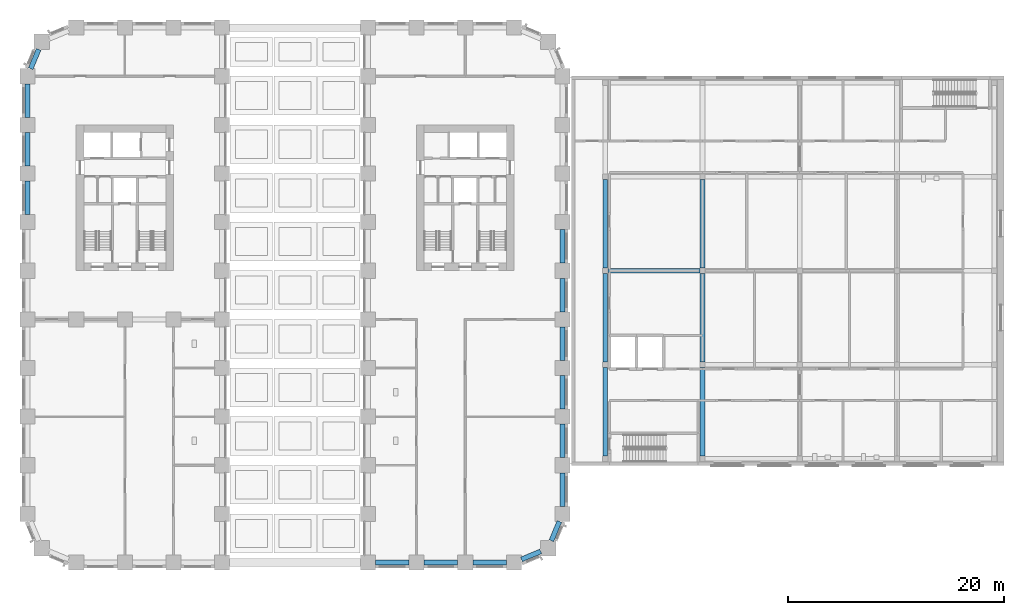
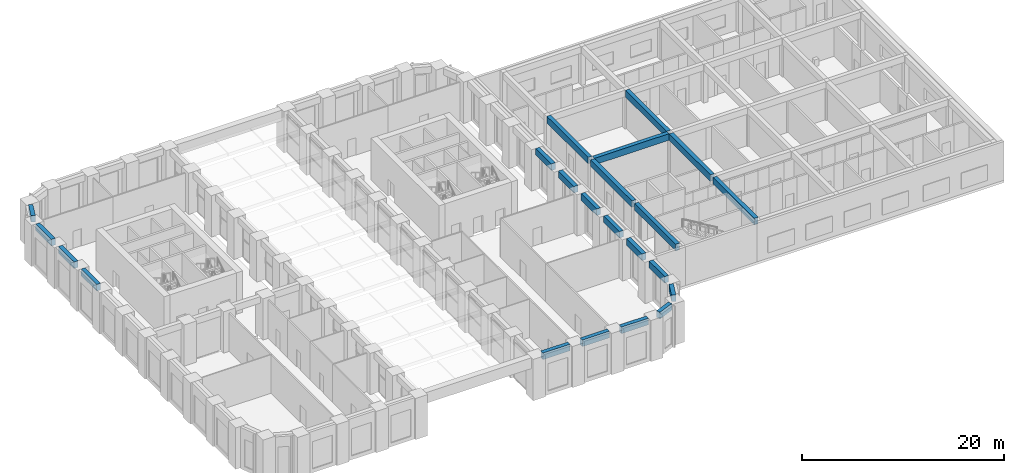
# One storey, part 4 of 24: 22 beams.
"""IFC4 building model written with IfcOpenShell, lengths in metres."""

from ifc_helpers import new_model, si_unit, direction, frame, origin, origin_2d, place, context, subcontext, project, spatial, rectangle, extrude, material, material_profile, profile_set, type_object, element, save


model = new_model("IFC4")

# Units and contexts
model_context = context("Model", 3, precision=1e-05, world=origin(), true_north=direction((0.0, 1.0)))
body_context = subcontext(model_context, "Body", "Model", "MODEL_VIEW")
ifc_project = project(units=[si_unit("LENGTHUNIT", "METRE"), si_unit("AREAUNIT", "SQUARE_METRE"), si_unit("VOLUMEUNIT", "CUBIC_METRE"), si_unit("PLANEANGLEUNIT", "RADIAN"), si_unit("MASSUNIT", "GRAM", prefix="KILO")], contexts=[model_context])

# Site, building, storey
site_placement = place(None, origin())
site = spatial("IfcSite", under=ifc_project, at=site_placement, CompositionType="ELEMENT")
building_placement = place(site_placement, origin())
building = spatial("IfcBuilding", under=site, at=building_placement, Name="Girih Gate Residences", CompositionType="ELEMENT")
storey_placement = place(building_placement, frame((0.0, 0.0, 16.0)))
storey = spatial("IfcBuildingStorey", under=building, at=storey_placement, Name="L03", CompositionType="ELEMENT", Elevation=16.0)

# Beams
ifc_material_1 = material(Name="Concrete C40/50", Category="concrete")
ifc_material_profile_1 = material_profile(ifc_material_1, rectangle(XDim=0.449951171875, YDim=0.800048828125, at=origin_2d()))
ifc_profile_set_1 = profile_set([ifc_material_profile_1], Name="Concrete C40/50")
beam_type_1 = type_object("IfcBeamType", Name="HC Beam 450x800 C40/50", PredefinedType="BEAM", material=ifc_profile_set_1)
beam_1_placement = place(storey_placement, frame((53.699951171875, 27.0, 4.300048828125), z_axis=(1.0, 0.0, 0.0), x_axis=(0.0, 1.0, 0.0)))
element("IfcBeam", 1, at=beam_1_placement, inside=storey, type_object=beam_type_1, Name="L03 beam HC.1", PredefinedType="BEAM", context=body_context, shape_type="SweptSolid", body=[
    extrude(rectangle(XDim=0.449951171875, YDim=0.800048828125, at=origin_2d()), origin(), (0.0, 0.0, 1.0), 8.5),
])
for number, where, z_axis, x_axis, name in (
    (2, (53.449951171875, 9.85009765625, 4.300048828125), (0.0, 1.0, 0.0), (-1.0, 0.0, 0.0), "L03 beam H1.1"),
    (3, (53.449951171875, 18.550048828125, 4.300048828125), (0.0, 1.0, 0.0), (-1.0, 0.0, 0.0), "L03 beam H1.2"),
    (4, (53.449951171875, 27.25, 4.300048828125), (0.0, 1.0, 0.0), (-1.0, 0.0, 0.0), "L03 beam H1.3"),
    (5, (62.449951171875, 9.85009765625, 4.300048828125), (0.0, 1.0, 0.0), (-1.0, 0.0, 0.0), "L03 beam H2.1"),
    (6, (62.449951171875, 18.550048828125, 4.300048828125), (0.0, 1.0, 0.0), (-1.0, 0.0, 0.0), "L03 beam H2.2"),
    (7, (62.449951171875, 27.25, 4.300048828125), (0.0, 1.0, 0.0), (-1.0, 0.0, 0.0), "L03 beam H2.3"),
):
    element("IfcBeam", number, at=place(storey_placement, frame(where, z_axis=z_axis, x_axis=x_axis)), inside=storey, type_object=beam_type_1, Name=name, PredefinedType="BEAM", context=body_context, shape_type="SweptSolid", body=[
        extrude(rectangle(XDim=0.449951171875, YDim=0.800048828125, at=origin_2d()), origin(), (0.0, 0.0, 1.0), 8.199951171875),
    ])
ifc_material_2 = material(Name="Concrete C60/75", Category="concrete")
ifc_material_profile_2 = material_profile(ifc_material_2, rectangle(XDim=0.449951171875, YDim=0.800048828125, at=origin_2d()))
ifc_profile_set_2 = profile_set([ifc_material_profile_2], Name="Concrete C60/75")
beam_type_2 = type_object("IfcBeamType", Name="Spandrel girder RC 450x800 Concrete C60/75", PredefinedType="BEAM", material=ifc_profile_set_2)
beam_2_placement = place(storey_placement, frame((1.028076171875, 47.48193359375, 4.60009765625), z_axis=(-0.382646180293, -0.923894961945, 0.0), x_axis=(0.923894961945, -0.382646180293, 0.0)))
element("IfcBeam", 8, at=beam_2_placement, inside=storey, type_object=beam_type_2, Name="Spandrel girder SP-P1LSE-P1K L03", PredefinedType="BEAM", context=body_context, shape_type="SweptSolid", body=[
    extrude(rectangle(XDim=0.449951171875, YDim=0.800048828125, at=origin_2d()), origin(), (0.0, 0.0, 1.0), 1.9287109375),
])
for number, where, z_axis, x_axis, name in (
    (9, (0.0, 44.300048828125, 4.60009765625), (0.0, -1.0, 0.0), (1.0, 0.0, 0.0), "Spandrel girder SP-P1K-P1J L03"),
    (10, (0.0, 39.800048828125, 4.60009765625), (0.0, -1.0, 0.0), (1.0, 0.0, 0.0), "Spandrel girder SP-P1J-P1I L03"),
    (11, (0.0, 35.300048828125, 4.60009765625), (0.0, -1.0, 0.0), (1.0, 0.0, 0.0), "Spandrel girder SP-P1I-P1H L03"),
    (12, (32.199951171875, 0.0, 4.60009765625), (1.0, 0.0, 0.0), (0.0, 1.0, 0.0), "Spandrel girder SP-P8A-P9A L03"),
    (13, (36.699951171875, 0.0, 4.60009765625), (1.0, 0.0, 0.0), (0.0, 1.0, 0.0), "Spandrel girder SP-P9A-P10A L03"),
    (14, (41.199951171875, 0.0, 4.60009765625), (1.0, 0.0, 0.0), (0.0, 1.0, 0.0), "Spandrel girder SP-P10A-P11A L03"),
):
    element("IfcBeam", number, at=place(storey_placement, frame(where, z_axis=z_axis, x_axis=x_axis)), inside=storey, type_object=beam_type_2, Name=name, PredefinedType="BEAM", context=body_context, shape_type="SweptSolid", body=[
        extrude(rectangle(XDim=0.449951171875, YDim=0.800048828125, at=origin_2d()), origin(), (0.0, 0.0, 1.0), 3.10009765625),
    ])
for number, where, z_axis, x_axis, name in (
    (15, (45.699951171875, 0.2900390625, 4.60009765625), (0.923894961945, 0.382646180293, 0.0), (-0.382646180293, 0.923894961945, 0.0), "Spandrel girder SP-P11A-P12ANW L03"),
    (16, (48.471923828125, 2.01806640625, 4.60009765625), (0.382646180293, 0.923894961945, 0.0), (-0.923894961945, 0.382646180293, 0.0), "Spandrel girder SP-P12ANW-P12B L03"),
):
    element("IfcBeam", number, at=place(storey_placement, frame(where, z_axis=z_axis, x_axis=x_axis)), inside=storey, type_object=beam_type_2, Name=name, PredefinedType="BEAM", context=body_context, shape_type="SweptSolid", body=[
        extrude(rectangle(XDim=0.449951171875, YDim=0.800048828125, at=origin_2d()), origin(), (0.0, 0.0, 1.0), 1.9287109375),
    ])
for number, where, z_axis, x_axis, name in (
    (17, (49.5, 5.199951171875, 4.60009765625), (0.0, 1.0, 0.0), (-1.0, 0.0, 0.0), "Spandrel girder SP-P12B-P12C L03"),
    (18, (49.5, 9.699951171875, 4.60009765625), (0.0, 1.0, 0.0), (-1.0, 0.0, 0.0), "Spandrel girder SP-P12C-P12D L03"),
    (19, (49.5, 14.199951171875, 4.60009765625), (0.0, 1.0, 0.0), (-1.0, 0.0, 0.0), "Spandrel girder SP-P12D-P12E L03"),
    (20, (49.5, 18.699951171875, 4.60009765625), (0.0, 1.0, 0.0), (-1.0, 0.0, 0.0), "Spandrel girder SP-P12E-P12F L03"),
    (21, (49.5, 23.199951171875, 4.60009765625), (0.0, 1.0, 0.0), (-1.0, 0.0, 0.0), "Spandrel girder SP-P12F-P12G L03"),
    (22, (49.5, 27.699951171875, 4.60009765625), (0.0, 1.0, 0.0), (-1.0, 0.0, 0.0), "Spandrel girder SP-P12G-P12H L03"),
):
    element("IfcBeam", number, at=place(storey_placement, frame(where, z_axis=z_axis, x_axis=x_axis)), inside=storey, type_object=beam_type_2, Name=name, PredefinedType="BEAM", context=body_context, shape_type="SweptSolid", body=[
        extrude(rectangle(XDim=0.449951171875, YDim=0.800048828125, at=origin_2d()), origin(), (0.0, 0.0, 1.0), 3.10009765625),
    ])

save(model, "model.ifc")
